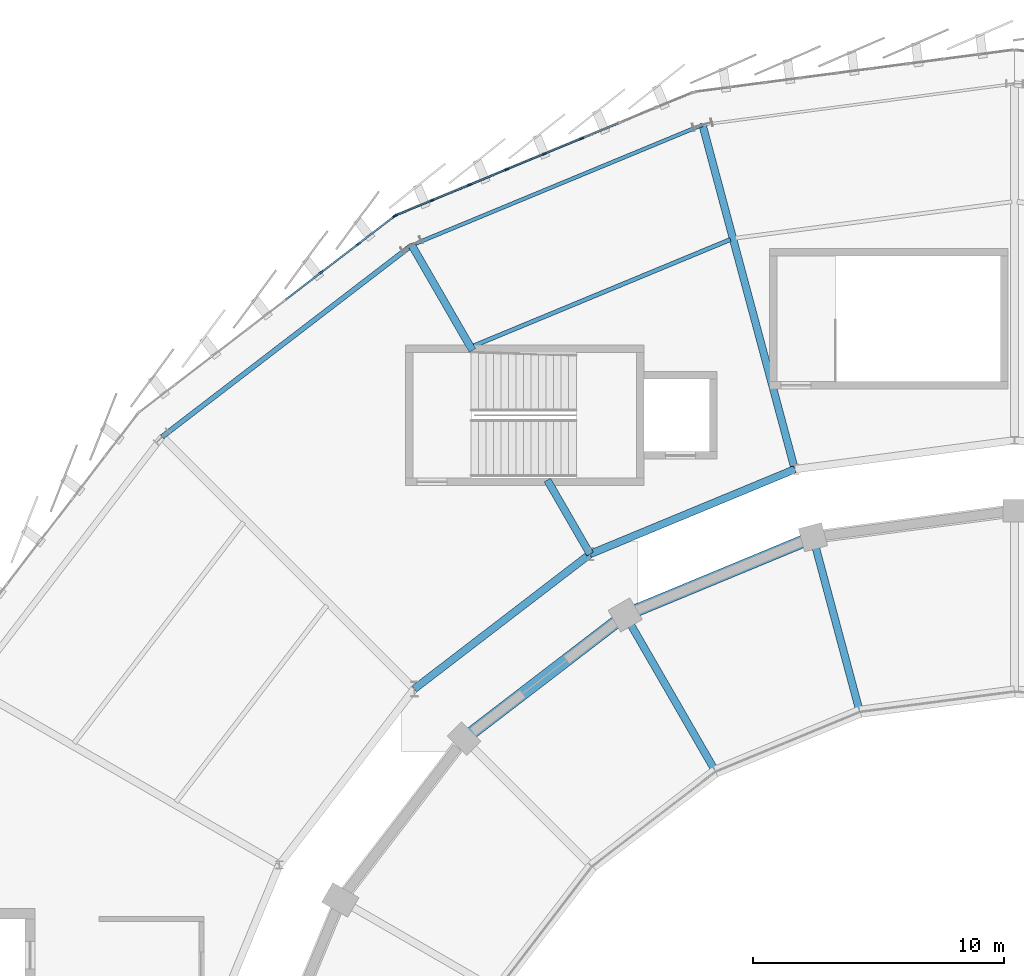
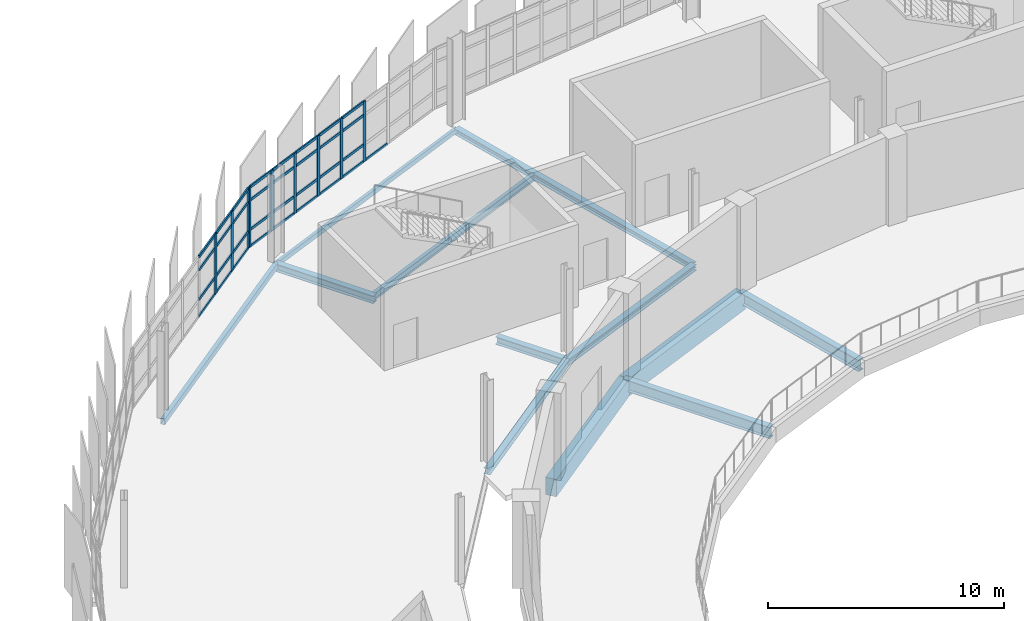
# One storey, part 31 of 87: 42 members, 12 beams, 2 elements without a shape of their own.
"""IFC4 building model written with IfcOpenShell, lengths in metres."""

from ifc_helpers import new_model, si_unit, direction, frame, origin, origin_2d, place, context, subcontext, project, spatial, rectangle, hollow_rectangle, i_section, extrude, material, layer, layer_set, material_profile, profile_set, type_object, element, aggregate, save


model = new_model("IFC4")

# Units and contexts
model_context = context("Model", 3, precision=1e-05, world=origin(), true_north=direction((0.0, 1.0)))
body_context = subcontext(model_context, "Body", "Model", "MODEL_VIEW")
ifc_project = project(units=[si_unit("LENGTHUNIT", "METRE"), si_unit("AREAUNIT", "SQUARE_METRE"), si_unit("VOLUMEUNIT", "CUBIC_METRE"), si_unit("PLANEANGLEUNIT", "RADIAN"), si_unit("MASSUNIT", "GRAM", prefix="KILO")], contexts=[model_context])

# Site, building, storey
site_placement = place(None, origin())
site = spatial("IfcSite", under=ifc_project, at=site_placement, CompositionType="ELEMENT")
building_placement = place(site_placement, origin())
building = spatial("IfcBuilding", under=site, at=building_placement, Name="Sohan Crest Arena", CompositionType="ELEMENT")
storey_placement = place(building_placement, frame((0.0, 0.0, 18.0)))
storey = spatial("IfcBuildingStorey", under=building, at=storey_placement, Name="L04", CompositionType="ELEMENT", Elevation=18.0)

# Curtain wall, members
ifc_material_1 = material(Name="Thermally broken anodised aluminium", Category="aluminium")
ifc_layer_1 = layer(ifc_material_1, 0.199951171875, Name="Thermally broken anodised aluminium")
ifc_layer_set_1 = layer_set([ifc_layer_1], Name="Thermally broken anodised aluminium")
curtain_wall_type_1 = type_object("IfcCurtainWallType", Name="ARC-CW02", PredefinedType="NOTDEFINED", material=ifc_layer_set_1)
curtain_wall_1_placement = place(storey_placement, origin())
curtain_wall_1 = element("IfcCurtainWall", 1, at=curtain_wall_1_placement, inside=storey, type_object=curtain_wall_type_1, Name="Unitised curtain wall CW-113", PredefinedType="NOTDEFINED")
ifc_material_profile_1 = material_profile(ifc_material_1, rectangle(XDim=0.06494140625, YDim=0.179931640625, at=origin_2d()), Name="ALU-MULL 65x180")
ifc_profile_set_1 = profile_set([ifc_material_profile_1], Name="Thermally broken anodised aluminium")
member_type_1 = type_object("IfcMemberType", Name="ARC-CW-ML02", PredefinedType="MULLION", material=ifc_profile_set_1)
member_1_placement = place(storey_placement, frame((80.763671875, 123.8193359375, 0.0), z_axis=(0.0, 0.0, 1.0), x_axis=(0.382685432009, -0.923878704229, 0.0)))
member_1 = element("IfcMember", 2, at=member_1_placement, type_object=member_type_1, Name="CW-113 mullion 4", PredefinedType="MULLION", context=body_context, shape_type="SweptSolid", body=[
    extrude(rectangle(XDim=0.06494140625, YDim=0.179931640625, at=origin_2d()), origin(), (0.0, 0.0, 1.0), 3.1201171875),
])
member_2_placement = place(storey_placement, frame((79.27587890625, 123.202880859375, 0.0), z_axis=(0.0, 0.0, 1.0), x_axis=(0.382685432009, -0.923878704229, 0.0)))
member_2 = element("IfcMember", 3, at=member_2_placement, type_object=member_type_1, Name="CW-113 mullion 5", PredefinedType="MULLION", context=body_context, shape_type="SweptSolid", body=[
    extrude(rectangle(XDim=0.06494140625, YDim=0.179931640625, at=origin_2d()), origin(), (0.0, 0.0, 1.0), 3.1201171875),
])
member_3_placement = place(storey_placement, frame((77.788330078125, 122.586669921875, 0.0), z_axis=(0.0, 0.0, 1.0), x_axis=(0.382685432009, -0.923878704229, 0.0)))
member_3 = element("IfcMember", 4, at=member_3_placement, type_object=member_type_1, Name="CW-113 mullion 6", PredefinedType="MULLION", context=body_context, shape_type="SweptSolid", body=[
    extrude(rectangle(XDim=0.06494140625, YDim=0.179931640625, at=origin_2d()), origin(), (0.0, 0.0, 1.0), 3.1201171875),
])
member_4_placement = place(storey_placement, frame((76.300537109375, 121.970458984375, 0.0), z_axis=(0.0, 0.0, 1.0), x_axis=(0.382685432009, -0.923878704229, 0.0)))
member_4 = element("IfcMember", 5, at=member_4_placement, type_object=member_type_1, Name="CW-113 mullion 7", PredefinedType="MULLION", context=body_context, shape_type="SweptSolid", body=[
    extrude(rectangle(XDim=0.06494140625, YDim=0.179931640625, at=origin_2d()), origin(), (0.0, 0.0, 1.0), 3.1201171875),
])
member_5_placement = place(storey_placement, frame((74.812744140625, 121.354248046875, 0.0), z_axis=(0.0, 0.0, 1.0), x_axis=(0.382685432009, -0.923878704229, 0.0)))
member_5 = element("IfcMember", 6, at=member_5_placement, type_object=member_type_1, Name="CW-113 mullion 8", PredefinedType="MULLION", context=body_context, shape_type="SweptSolid", body=[
    extrude(rectangle(XDim=0.06494140625, YDim=0.179931640625, at=origin_2d()), origin(), (0.0, 0.0, 1.0), 3.1201171875),
])
member_6_placement = place(storey_placement, frame((73.35498046875, 120.75048828125, 0.0), z_axis=(0.0, 0.0, 1.0), x_axis=(0.382685432009, -0.923878704229, 0.0)))
member_6 = element("IfcMember", 7, at=member_6_placement, type_object=member_type_1, Name="CW-113 mullion 9", PredefinedType="MULLION", context=body_context, shape_type="SweptSolid", body=[
    extrude(rectangle(XDim=0.06494140625, YDim=0.179931640625, at=origin_2d()), origin(), (0.0, 0.0, 1.0), 3.1201171875),
])

ifc_layer_2 = layer(ifc_material_1, 0.219970703125, Name="Thermally broken anodised aluminium")
ifc_layer_set_2 = layer_set([ifc_layer_2], Name="Thermally broken anodised aluminium")
curtain_wall_type_2 = type_object("IfcCurtainWallType", Name="ARC-CW03", PredefinedType="NOTDEFINED", material=ifc_layer_set_2)
curtain_wall_2_placement = place(storey_placement, origin())
curtain_wall_2 = element("IfcCurtainWall", 8, at=curtain_wall_2_placement, inside=storey, type_object=curtain_wall_type_2, Name="Unitised curtain wall CW-114", PredefinedType="NOTDEFINED")
ifc_material_profile_2 = material_profile(ifc_material_1, rectangle(XDim=0.070068359375, YDim=0.199951171875, at=origin_2d()), Name="ALU-MULL 70x200")
ifc_profile_set_2 = profile_set([ifc_material_profile_2], Name="Thermally broken anodised aluminium")
member_type_2 = type_object("IfcMemberType", Name="ARC-CW-ML03", PredefinedType="MULLION", material=ifc_profile_set_2)
member_7_placement = place(storey_placement, frame((73.297119140625, 120.716796875, 0.0), z_axis=(0.0, 0.0, 1.0), x_axis=(0.60871994181, -0.793385172815, 0.0)))
member_7 = element("IfcMember", 9, at=member_7_placement, type_object=member_type_2, Name="CW-114 mullion 1", PredefinedType="MULLION", context=body_context, shape_type="SweptSolid", body=[
    extrude(rectangle(XDim=0.070068359375, YDim=0.199951171875, at=origin_2d()), origin(), (0.0, 0.0, 1.0), 3.1201171875),
])
member_8_placement = place(storey_placement, frame((71.86474609375, 119.61767578125, 0.0), z_axis=(0.0, 0.0, 1.0), x_axis=(0.60871994181, -0.793385172815, 0.0)))
member_8 = element("IfcMember", 10, at=member_8_placement, type_object=member_type_2, Name="CW-114 mullion 2", PredefinedType="MULLION", context=body_context, shape_type="SweptSolid", body=[
    extrude(rectangle(XDim=0.070068359375, YDim=0.199951171875, at=origin_2d()), origin(), (0.0, 0.0, 1.0), 3.1201171875),
])
member_9_placement = place(storey_placement, frame((70.40478515625, 118.497314453125, 0.0), z_axis=(0.0, 0.0, 1.0), x_axis=(0.60871994181, -0.793385172815, 0.0)))
member_9 = element("IfcMember", 11, at=member_9_placement, type_object=member_type_2, Name="CW-114 mullion 3", PredefinedType="MULLION", context=body_context, shape_type="SweptSolid", body=[
    extrude(rectangle(XDim=0.070068359375, YDim=0.199951171875, at=origin_2d()), origin(), (0.0, 0.0, 1.0), 3.1201171875),
])

# Member
ifc_material_profile_3 = material_profile(ifc_material_1, rectangle(XDim=0.06494140625, YDim=0.139892578125, at=origin_2d()), Name="ALU-TRAN 65x140")
ifc_profile_set_3 = profile_set([ifc_material_profile_3], Name="Thermally broken anodised aluminium")
member_type_3 = type_object("IfcMemberType", Name="ARC-CW-TR02", PredefinedType="USERDEFINED", material=ifc_profile_set_3)
member_10_placement = place(storey_placement, frame((82.221435546875, 124.423095703125, 0.032470703125), z_axis=(-0.923897456466, -0.382640157244, 0.0), x_axis=(0.382640157244, -0.923897456466, 0.0)))
member_10 = element("IfcMember", 12, at=member_10_placement, type_object=member_type_3, Name="CW-113 transom 3.1", ObjectType="TRANSOM", PredefinedType="USERDEFINED", context=body_context, shape_type="SweptSolid", body=[
    extrude(rectangle(XDim=0.06494140625, YDim=0.139892578125, at=origin_2d()), origin(), (0.0, 0.0, 1.0), 1.54541015625),
])

member_11_placement = place(storey_placement, frame((80.733642578125, 123.806884765625, 0.032470703125), z_axis=(-0.923841599032, -0.382774999052, 0.0), x_axis=(0.382774999052, -0.923841599032, 0.0)))
member_11 = element("IfcMember", 13, at=member_11_placement, type_object=member_type_3, Name="CW-113 transom 4.1", ObjectType="TRANSOM", PredefinedType="USERDEFINED", context=body_context, shape_type="SweptSolid", body=[
    extrude(rectangle(XDim=0.06494140625, YDim=0.139892578125, at=origin_2d()), origin(), (0.0, 0.0, 1.0), 1.54541015625),
])

member_12_placement = place(storey_placement, frame((80.733642578125, 123.806884765625, 0.89990234375), z_axis=(-0.923841599032, -0.382774999052, 0.0), x_axis=(0.382774999052, -0.923841599032, 0.0)))
member_12 = element("IfcMember", 14, at=member_12_placement, type_object=member_type_3, Name="CW-113 transom 4.2", ObjectType="TRANSOM", PredefinedType="USERDEFINED", context=body_context, shape_type="SweptSolid", body=[
    extrude(rectangle(XDim=0.06494140625, YDim=0.139892578125, at=origin_2d()), origin(), (0.0, 0.0, 1.0), 1.54541015625),
])

member_13_placement = place(storey_placement, frame((80.733642578125, 123.806884765625, 2.419921875), z_axis=(-0.923841599032, -0.382774999052, 0.0), x_axis=(0.382774999052, -0.923841599032, 0.0)))
member_13 = element("IfcMember", 15, at=member_13_placement, type_object=member_type_3, Name="CW-113 transom 4.3", ObjectType="TRANSOM", PredefinedType="USERDEFINED", context=body_context, shape_type="SweptSolid", body=[
    extrude(rectangle(XDim=0.06494140625, YDim=0.139892578125, at=origin_2d()), origin(), (0.0, 0.0, 1.0), 1.54541015625),
])

member_14_placement = place(storey_placement, frame((80.733642578125, 123.806884765625, 3.08740234375), z_axis=(-0.923841599032, -0.382774999052, 0.0), x_axis=(0.382774999052, -0.923841599032, 0.0)))
member_14 = element("IfcMember", 16, at=member_14_placement, type_object=member_type_3, Name="CW-113 transom 4.4", ObjectType="TRANSOM", PredefinedType="USERDEFINED", context=body_context, shape_type="SweptSolid", body=[
    extrude(rectangle(XDim=0.06494140625, YDim=0.139892578125, at=origin_2d()), origin(), (0.0, 0.0, 1.0), 1.54541015625),
])

member_15_placement = place(storey_placement, frame((79.24609375, 123.190673828125, 0.032470703125), z_axis=(-0.923841599032, -0.382774999052, 0.0), x_axis=(0.382774999052, -0.923841599032, 0.0)))
member_15 = element("IfcMember", 17, at=member_15_placement, type_object=member_type_3, Name="CW-113 transom 5.1", ObjectType="TRANSOM", PredefinedType="USERDEFINED", context=body_context, shape_type="SweptSolid", body=[
    extrude(rectangle(XDim=0.06494140625, YDim=0.139892578125, at=origin_2d()), origin(), (0.0, 0.0, 1.0), 1.54541015625),
])

member_16_placement = place(storey_placement, frame((79.24609375, 123.190673828125, 0.89990234375), z_axis=(-0.923841599032, -0.382774999052, 0.0), x_axis=(0.382774999052, -0.923841599032, 0.0)))
member_16 = element("IfcMember", 18, at=member_16_placement, type_object=member_type_3, Name="CW-113 transom 5.2", ObjectType="TRANSOM", PredefinedType="USERDEFINED", context=body_context, shape_type="SweptSolid", body=[
    extrude(rectangle(XDim=0.06494140625, YDim=0.139892578125, at=origin_2d()), origin(), (0.0, 0.0, 1.0), 1.54541015625),
])

member_17_placement = place(storey_placement, frame((79.24609375, 123.190673828125, 2.419921875), z_axis=(-0.923841599032, -0.382774999052, 0.0), x_axis=(0.382774999052, -0.923841599032, 0.0)))
member_17 = element("IfcMember", 19, at=member_17_placement, type_object=member_type_3, Name="CW-113 transom 5.3", ObjectType="TRANSOM", PredefinedType="USERDEFINED", context=body_context, shape_type="SweptSolid", body=[
    extrude(rectangle(XDim=0.06494140625, YDim=0.139892578125, at=origin_2d()), origin(), (0.0, 0.0, 1.0), 1.54541015625),
])

member_18_placement = place(storey_placement, frame((79.24609375, 123.190673828125, 3.08740234375), z_axis=(-0.923841599032, -0.382774999052, 0.0), x_axis=(0.382774999052, -0.923841599032, 0.0)))
member_18 = element("IfcMember", 20, at=member_18_placement, type_object=member_type_3, Name="CW-113 transom 5.4", ObjectType="TRANSOM", PredefinedType="USERDEFINED", context=body_context, shape_type="SweptSolid", body=[
    extrude(rectangle(XDim=0.06494140625, YDim=0.139892578125, at=origin_2d()), origin(), (0.0, 0.0, 1.0), 1.54541015625),
])

member_19_placement = place(storey_placement, frame((77.75830078125, 122.57421875, 0.032470703125), z_axis=(-0.923897456466, -0.382640157244, 0.0), x_axis=(0.382640157244, -0.923897456466, 0.0)))
member_19 = element("IfcMember", 21, at=member_19_placement, type_object=member_type_3, Name="CW-113 transom 6.1", ObjectType="TRANSOM", PredefinedType="USERDEFINED", context=body_context, shape_type="SweptSolid", body=[
    extrude(rectangle(XDim=0.06494140625, YDim=0.139892578125, at=origin_2d()), origin(), (0.0, 0.0, 1.0), 1.54541015625),
])

member_20_placement = place(storey_placement, frame((77.75830078125, 122.57421875, 0.89990234375), z_axis=(-0.923897456466, -0.382640157244, 0.0), x_axis=(0.382640157244, -0.923897456466, 0.0)))
member_20 = element("IfcMember", 22, at=member_20_placement, type_object=member_type_3, Name="CW-113 transom 6.2", ObjectType="TRANSOM", PredefinedType="USERDEFINED", context=body_context, shape_type="SweptSolid", body=[
    extrude(rectangle(XDim=0.06494140625, YDim=0.139892578125, at=origin_2d()), origin(), (0.0, 0.0, 1.0), 1.54541015625),
])

member_21_placement = place(storey_placement, frame((77.75830078125, 122.57421875, 2.419921875), z_axis=(-0.923897456466, -0.382640157244, 0.0), x_axis=(0.382640157244, -0.923897456466, 0.0)))
member_21 = element("IfcMember", 23, at=member_21_placement, type_object=member_type_3, Name="CW-113 transom 6.3", ObjectType="TRANSOM", PredefinedType="USERDEFINED", context=body_context, shape_type="SweptSolid", body=[
    extrude(rectangle(XDim=0.06494140625, YDim=0.139892578125, at=origin_2d()), origin(), (0.0, 0.0, 1.0), 1.54541015625),
])

member_22_placement = place(storey_placement, frame((77.75830078125, 122.57421875, 3.08740234375), z_axis=(-0.923897456466, -0.382640157244, 0.0), x_axis=(0.382640157244, -0.923897456466, 0.0)))
member_22 = element("IfcMember", 24, at=member_22_placement, type_object=member_type_3, Name="CW-113 transom 6.4", ObjectType="TRANSOM", PredefinedType="USERDEFINED", context=body_context, shape_type="SweptSolid", body=[
    extrude(rectangle(XDim=0.06494140625, YDim=0.139892578125, at=origin_2d()), origin(), (0.0, 0.0, 1.0), 1.54541015625),
])

member_23_placement = place(storey_placement, frame((76.2705078125, 121.9580078125, 0.032470703125), z_axis=(-0.923897456466, -0.382640157244, 0.0), x_axis=(0.382640157244, -0.923897456466, 0.0)))
member_23 = element("IfcMember", 25, at=member_23_placement, type_object=member_type_3, Name="CW-113 transom 7.1", ObjectType="TRANSOM", PredefinedType="USERDEFINED", context=body_context, shape_type="SweptSolid", body=[
    extrude(rectangle(XDim=0.06494140625, YDim=0.139892578125, at=origin_2d()), origin(), (0.0, 0.0, 1.0), 1.54541015625),
])

member_24_placement = place(storey_placement, frame((76.2705078125, 121.9580078125, 0.89990234375), z_axis=(-0.923897456466, -0.382640157244, 0.0), x_axis=(0.382640157244, -0.923897456466, 0.0)))
member_24 = element("IfcMember", 26, at=member_24_placement, type_object=member_type_3, Name="CW-113 transom 7.2", ObjectType="TRANSOM", PredefinedType="USERDEFINED", context=body_context, shape_type="SweptSolid", body=[
    extrude(rectangle(XDim=0.06494140625, YDim=0.139892578125, at=origin_2d()), origin(), (0.0, 0.0, 1.0), 1.54541015625),
])

member_25_placement = place(storey_placement, frame((76.2705078125, 121.9580078125, 2.419921875), z_axis=(-0.923897456466, -0.382640157244, 0.0), x_axis=(0.382640157244, -0.923897456466, 0.0)))
member_25 = element("IfcMember", 27, at=member_25_placement, type_object=member_type_3, Name="CW-113 transom 7.3", ObjectType="TRANSOM", PredefinedType="USERDEFINED", context=body_context, shape_type="SweptSolid", body=[
    extrude(rectangle(XDim=0.06494140625, YDim=0.139892578125, at=origin_2d()), origin(), (0.0, 0.0, 1.0), 1.54541015625),
])

member_26_placement = place(storey_placement, frame((76.2705078125, 121.9580078125, 3.08740234375), z_axis=(-0.923897456466, -0.382640157244, 0.0), x_axis=(0.382640157244, -0.923897456466, 0.0)))
member_26 = element("IfcMember", 28, at=member_26_placement, type_object=member_type_3, Name="CW-113 transom 7.4", ObjectType="TRANSOM", PredefinedType="USERDEFINED", context=body_context, shape_type="SweptSolid", body=[
    extrude(rectangle(XDim=0.06494140625, YDim=0.139892578125, at=origin_2d()), origin(), (0.0, 0.0, 1.0), 1.54541015625),
])

member_27_placement = place(storey_placement, frame((74.78271484375, 121.341796875, 0.032470703125), z_axis=(-0.923900792868, -0.382632101291, 0.0), x_axis=(0.382632101291, -0.923900792868, 0.0)))
member_27 = element("IfcMember", 29, at=member_27_placement, type_object=member_type_3, Name="CW-113 transom 8.1", ObjectType="TRANSOM", PredefinedType="USERDEFINED", context=body_context, shape_type="SweptSolid", body=[
    extrude(rectangle(XDim=0.06494140625, YDim=0.139892578125, at=origin_2d()), origin(), (0.0, 0.0, 1.0), 1.512939453125),
])

member_28_placement = place(storey_placement, frame((74.78271484375, 121.341796875, 0.89990234375), z_axis=(-0.923900792868, -0.382632101291, 0.0), x_axis=(0.382632101291, -0.923900792868, 0.0)))
member_28 = element("IfcMember", 30, at=member_28_placement, type_object=member_type_3, Name="CW-113 transom 8.2", ObjectType="TRANSOM", PredefinedType="USERDEFINED", context=body_context, shape_type="SweptSolid", body=[
    extrude(rectangle(XDim=0.06494140625, YDim=0.139892578125, at=origin_2d()), origin(), (0.0, 0.0, 1.0), 1.512939453125),
])

member_29_placement = place(storey_placement, frame((74.78271484375, 121.341796875, 2.419921875), z_axis=(-0.923900792868, -0.382632101291, 0.0), x_axis=(0.382632101291, -0.923900792868, 0.0)))
member_29 = element("IfcMember", 31, at=member_29_placement, type_object=member_type_3, Name="CW-113 transom 8.3", ObjectType="TRANSOM", PredefinedType="USERDEFINED", context=body_context, shape_type="SweptSolid", body=[
    extrude(rectangle(XDim=0.06494140625, YDim=0.139892578125, at=origin_2d()), origin(), (0.0, 0.0, 1.0), 1.512939453125),
])

member_30_placement = place(storey_placement, frame((74.78271484375, 121.341796875, 3.08740234375), z_axis=(-0.923900792868, -0.382632101291, 0.0), x_axis=(0.382632101291, -0.923900792868, 0.0)))
member_30 = element("IfcMember", 32, at=member_30_placement, type_object=member_type_3, Name="CW-113 transom 8.4", ObjectType="TRANSOM", PredefinedType="USERDEFINED", context=body_context, shape_type="SweptSolid", body=[
    extrude(rectangle(XDim=0.06494140625, YDim=0.139892578125, at=origin_2d()), origin(), (0.0, 0.0, 1.0), 1.512939453125),
])

aggregate(curtain_wall_1, [member_1, member_2, member_3, member_4, member_5, member_6, member_10, member_11, member_12, member_13, member_14, member_15, member_16, member_17, member_18, member_19, member_20, member_21, member_22, member_23, member_24, member_25, member_26, member_27, member_28, member_29, member_30])

ifc_material_profile_4 = material_profile(ifc_material_1, rectangle(XDim=0.070068359375, YDim=0.14990234375, at=origin_2d()), Name="ALU-TRAN 70x150")
ifc_profile_set_4 = profile_set([ifc_material_profile_4], Name="Thermally broken anodised aluminium")
member_type_4 = type_object("IfcMemberType", Name="ARC-CW-TR03", PredefinedType="USERDEFINED", material=ifc_profile_set_4)
member_31_placement = place(storey_placement, frame((73.26953125, 120.6953125, 0.034912109375), z_axis=(-0.793402540985, -0.60869730405, 0.0), x_axis=(0.60869730405, -0.793402540985, 0.0)))
member_31 = element("IfcMember", 33, at=member_31_placement, type_object=member_type_4, Name="CW-114 transom 1.1", ObjectType="TRANSOM", PredefinedType="USERDEFINED", context=body_context, shape_type="SweptSolid", body=[
    extrude(rectangle(XDim=0.070068359375, YDim=0.14990234375, at=origin_2d()), origin(), (0.0, 0.0, 1.0), 1.735595703125),
])

member_32_placement = place(storey_placement, frame((73.26953125, 120.6953125, 0.89990234375), z_axis=(-0.793402540985, -0.60869730405, 0.0), x_axis=(0.60869730405, -0.793402540985, 0.0)))
member_32 = element("IfcMember", 34, at=member_32_placement, type_object=member_type_4, Name="CW-114 transom 1.2", ObjectType="TRANSOM", PredefinedType="USERDEFINED", context=body_context, shape_type="SweptSolid", body=[
    extrude(rectangle(XDim=0.070068359375, YDim=0.14990234375, at=origin_2d()), origin(), (0.0, 0.0, 1.0), 1.735595703125),
])

member_33_placement = place(storey_placement, frame((73.26953125, 120.6953125, 2.419921875), z_axis=(-0.793402540985, -0.60869730405, 0.0), x_axis=(0.60869730405, -0.793402540985, 0.0)))
member_33 = element("IfcMember", 35, at=member_33_placement, type_object=member_type_4, Name="CW-114 transom 1.3", ObjectType="TRANSOM", PredefinedType="USERDEFINED", context=body_context, shape_type="SweptSolid", body=[
    extrude(rectangle(XDim=0.070068359375, YDim=0.14990234375, at=origin_2d()), origin(), (0.0, 0.0, 1.0), 1.735595703125),
])

member_34_placement = place(storey_placement, frame((73.26953125, 120.6953125, 3.0849609375), z_axis=(-0.793402540985, -0.60869730405, 0.0), x_axis=(0.60869730405, -0.793402540985, 0.0)))
member_34 = element("IfcMember", 36, at=member_34_placement, type_object=member_type_4, Name="CW-114 transom 1.4", ObjectType="TRANSOM", PredefinedType="USERDEFINED", context=body_context, shape_type="SweptSolid", body=[
    extrude(rectangle(XDim=0.070068359375, YDim=0.14990234375, at=origin_2d()), origin(), (0.0, 0.0, 1.0), 1.735595703125),
])

member_35_placement = place(storey_placement, frame((71.837158203125, 119.596435546875, 0.034912109375), z_axis=(-0.793433215752, -0.608657319139, 0.0), x_axis=(0.608657319139, -0.793433215752, 0.0)))
member_35 = element("IfcMember", 37, at=member_35_placement, type_object=member_type_4, Name="CW-114 transom 2.1", ObjectType="TRANSOM", PredefinedType="USERDEFINED", context=body_context, shape_type="SweptSolid", body=[
    extrude(rectangle(XDim=0.070068359375, YDim=0.14990234375, at=origin_2d()), origin(), (0.0, 0.0, 1.0), 1.7705078125),
])

member_36_placement = place(storey_placement, frame((71.837158203125, 119.596435546875, 0.89990234375), z_axis=(-0.793433215752, -0.608657319139, 0.0), x_axis=(0.608657319139, -0.793433215752, 0.0)))
member_36 = element("IfcMember", 38, at=member_36_placement, type_object=member_type_4, Name="CW-114 transom 2.2", ObjectType="TRANSOM", PredefinedType="USERDEFINED", context=body_context, shape_type="SweptSolid", body=[
    extrude(rectangle(XDim=0.070068359375, YDim=0.14990234375, at=origin_2d()), origin(), (0.0, 0.0, 1.0), 1.7705078125),
])

member_37_placement = place(storey_placement, frame((71.837158203125, 119.596435546875, 2.419921875), z_axis=(-0.793433215752, -0.608657319139, 0.0), x_axis=(0.608657319139, -0.793433215752, 0.0)))
member_37 = element("IfcMember", 39, at=member_37_placement, type_object=member_type_4, Name="CW-114 transom 2.3", ObjectType="TRANSOM", PredefinedType="USERDEFINED", context=body_context, shape_type="SweptSolid", body=[
    extrude(rectangle(XDim=0.070068359375, YDim=0.14990234375, at=origin_2d()), origin(), (0.0, 0.0, 1.0), 1.7705078125),
])

member_38_placement = place(storey_placement, frame((71.837158203125, 119.596435546875, 3.0849609375), z_axis=(-0.793433215752, -0.608657319139, 0.0), x_axis=(0.608657319139, -0.793433215752, 0.0)))
member_38 = element("IfcMember", 40, at=member_38_placement, type_object=member_type_4, Name="CW-114 transom 2.4", ObjectType="TRANSOM", PredefinedType="USERDEFINED", context=body_context, shape_type="SweptSolid", body=[
    extrude(rectangle(XDim=0.070068359375, YDim=0.14990234375, at=origin_2d()), origin(), (0.0, 0.0, 1.0), 1.7705078125),
])

member_39_placement = place(storey_placement, frame((70.376953125, 118.47607421875, 0.034912109375), z_axis=(-0.793382123212, -0.60872391654, 0.0), x_axis=(0.60872391654, -0.793382123212, 0.0)))
member_39 = element("IfcMember", 41, at=member_39_placement, type_object=member_type_4, Name="CW-114 transom 3.1", ObjectType="TRANSOM", PredefinedType="USERDEFINED", context=body_context, shape_type="SweptSolid", body=[
    extrude(rectangle(XDim=0.070068359375, YDim=0.14990234375, at=origin_2d()), origin(), (0.0, 0.0, 1.0), 1.770263671875),
])

member_40_placement = place(storey_placement, frame((70.376953125, 118.47607421875, 0.89990234375), z_axis=(-0.793382123212, -0.60872391654, 0.0), x_axis=(0.60872391654, -0.793382123212, 0.0)))
member_40 = element("IfcMember", 42, at=member_40_placement, type_object=member_type_4, Name="CW-114 transom 3.2", ObjectType="TRANSOM", PredefinedType="USERDEFINED", context=body_context, shape_type="SweptSolid", body=[
    extrude(rectangle(XDim=0.070068359375, YDim=0.14990234375, at=origin_2d()), origin(), (0.0, 0.0, 1.0), 1.770263671875),
])

member_41_placement = place(storey_placement, frame((70.376953125, 118.47607421875, 2.419921875), z_axis=(-0.793382123212, -0.60872391654, 0.0), x_axis=(0.60872391654, -0.793382123212, 0.0)))
member_41 = element("IfcMember", 43, at=member_41_placement, type_object=member_type_4, Name="CW-114 transom 3.3", ObjectType="TRANSOM", PredefinedType="USERDEFINED", context=body_context, shape_type="SweptSolid", body=[
    extrude(rectangle(XDim=0.070068359375, YDim=0.14990234375, at=origin_2d()), origin(), (0.0, 0.0, 1.0), 1.770263671875),
])

member_42_placement = place(storey_placement, frame((70.376953125, 118.47607421875, 3.0849609375), z_axis=(-0.793382123212, -0.60872391654, 0.0), x_axis=(0.60872391654, -0.793382123212, 0.0)))
member_42 = element("IfcMember", 44, at=member_42_placement, type_object=member_type_4, Name="CW-114 transom 3.4", ObjectType="TRANSOM", PredefinedType="USERDEFINED", context=body_context, shape_type="SweptSolid", body=[
    extrude(rectangle(XDim=0.070068359375, YDim=0.14990234375, at=origin_2d()), origin(), (0.0, 0.0, 1.0), 1.770263671875),
])

aggregate(curtain_wall_2, [member_7, member_8, member_9, member_31, member_32, member_33, member_34, member_35, member_36, member_37, member_38, member_39, member_40, member_41, member_42])

# Beams
ifc_material_2 = material(Name="Steel S355", Category="steel")
ifc_material_profile_5 = material_profile(ifc_material_2, i_section(OverallWidth=0.169921875, OverallDepth=0.360107421875, WebThickness=0.008056640625, FlangeThickness=0.0126953125, at=origin_2d()), Name="IPE 360")
ifc_profile_set_5 = profile_set([ifc_material_profile_5], Name="Steel S355")
beam_type_1 = type_object("IfcBeamType", Name="STR-BM-B02", PredefinedType="JOIST", material=ifc_profile_set_5)
beam_1_placement = place(storey_placement, frame((86.68798828125, 119.7958984375, -0.429931640625), z_axis=(-0.923874316241, -0.382696025312, 0.0), x_axis=(0.382696025312, -0.923874316241, 0.0)))
element("IfcBeam", 45, at=beam_1_placement, inside=storey, type_object=beam_type_1, Name="Structural beam J-L04-1560", PredefinedType="JOIST", context=body_context, shape_type="SweptSolid", body=[
    extrude(i_section(OverallWidth=0.169921875, OverallDepth=0.360107421875, WebThickness=0.008056640625, FlangeThickness=0.0126953125, at=origin_2d()), origin(), (0.0, 0.0, 1.0), 11.0869140625),
])
ifc_material_profile_6 = material_profile(ifc_material_2, i_section(OverallWidth=0.300048828125, OverallDepth=0.590087890625, WebThickness=0.012939453125, FlangeThickness=0.02490234375, at=origin_2d()), Name="HEA 600")
ifc_profile_set_6 = profile_set([ifc_material_profile_6], Name="Steel S355")
beam_type_2 = type_object("IfcBeamType", Name="STR-BM-B11", PredefinedType="BEAM", material=ifc_profile_set_6)
beam_2_placement = place(storey_placement, frame((91.840087890625, 100.989013671875, -0.544921875), z_axis=(-0.258745124417, 0.965945630245, 0.0), x_axis=(-0.965945630245, -0.258745124417, 0.0)))
element("IfcBeam", 46, at=beam_2_placement, inside=storey, type_object=beam_type_2, Name="Structural beam G-L04-0100", PredefinedType="BEAM", context=body_context, shape_type="SweptSolid", body=[
    extrude(i_section(OverallWidth=0.300048828125, OverallDepth=0.590087890625, WebThickness=0.012939453125, FlangeThickness=0.02490234375, at=origin_2d()), origin(), (0.0, 0.0, 1.0), 7.2001953125),
])
beam_3_placement = place(storey_placement, frame((86.10009765625, 98.611083984375, -0.544921875), z_axis=(-0.499982693035, 0.866035395735, 0.0), x_axis=(-0.866035395735, -0.499982693035, 0.0)))
element("IfcBeam", 47, at=beam_3_placement, inside=storey, type_object=beam_type_2, Name="Structural beam G-L04-0122", PredefinedType="BEAM", context=body_context, shape_type="SweptSolid", body=[
    extrude(i_section(OverallWidth=0.300048828125, OverallDepth=0.590087890625, WebThickness=0.012939453125, FlangeThickness=0.02490234375, at=origin_2d()), origin(), (0.0, 0.0, 1.0), 7.200439453125),
])
ifc_material_profile_7 = material_profile(ifc_material_2, i_section(OverallWidth=0.300048828125, OverallDepth=0.300048828125, WebThickness=0.010986328125, FlangeThickness=0.01904296875, at=origin_2d()), Name="HEB 300")
ifc_profile_set_7 = profile_set([ifc_material_profile_7], Name="Steel S355")
beam_type_3 = type_object("IfcBeamType", Name="STR-BM-B12", PredefinedType="BEAM", material=ifc_profile_set_7)
beam_4_placement = place(storey_placement, frame((89.251953125, 110.64794921875, -0.39990234375), z_axis=(-0.258808560729, 0.965928635508, 0.0), x_axis=(-0.965928635508, -0.258808560729, 0.0)))
element("IfcBeam", 48, at=beam_4_placement, inside=storey, type_object=beam_type_3, Name="Structural beam G-L04-1557", PredefinedType="BEAM", context=body_context, shape_type="SweptSolid", body=[
    extrude(i_section(OverallWidth=0.300048828125, OverallDepth=0.300048828125, WebThickness=0.010986328125, FlangeThickness=0.01904296875, at=origin_2d()), origin(), (0.0, 0.0, 1.0), 14.199951171875),
])
beam_5_placement = place(storey_placement, frame((89.251953125, 110.64794921875, -0.39990234375), z_axis=(-0.923904876385, -0.38262224111, 0.0), x_axis=(0.38262224111, -0.923904876385, 0.0)))
element("IfcBeam", 49, at=beam_5_placement, inside=storey, type_object=beam_type_3, Name="Structural beam G-L04-1558", PredefinedType="BEAM", context=body_context, shape_type="SweptSolid", body=[
    extrude(i_section(OverallWidth=0.300048828125, OverallDepth=0.300048828125, WebThickness=0.010986328125, FlangeThickness=0.01904296875, at=origin_2d()), origin(), (0.0, 0.0, 1.0), 8.8232421875),
])
beam_6_placement = place(storey_placement, frame((81.10009765625, 107.27197265625, -0.39990234375), z_axis=(-0.793310569192, -0.608817165336, 0.0), x_axis=(0.608817165336, -0.793310569192, 0.0)))
element("IfcBeam", 50, at=beam_6_placement, inside=storey, type_object=beam_type_3, Name="Structural beam G-L04-1563", PredefinedType="BEAM", context=body_context, shape_type="SweptSolid", body=[
    extrude(i_section(OverallWidth=0.300048828125, OverallDepth=0.300048828125, WebThickness=0.010986328125, FlangeThickness=0.01904296875, at=origin_2d()), origin(), (0.0, 0.0, 1.0), 8.82373046875),
])
ifc_material_profile_8 = material_profile(ifc_material_2, i_section(OverallWidth=0.300048828125, OverallDepth=0.39990234375, WebThickness=0.013427734375, FlangeThickness=0.02392578125, at=origin_2d()), Name="HEB 400")
ifc_profile_set_8 = profile_set([ifc_material_profile_8], Name="Steel S355")
beam_type_4 = type_object("IfcBeamType", Name="STR-BM-B13", PredefinedType="BEAM", material=ifc_profile_set_8)
beam_7_placement = place(storey_placement, frame((81.10009765625, 107.27197265625, -0.449951171875), z_axis=(-0.500026652407, 0.866010015463, 0.0), x_axis=(-0.866010015463, -0.500026652407, 0.0)))
element("IfcBeam", 51, at=beam_7_placement, inside=storey, type_object=beam_type_4, Name="Structural beam G-L04-1561", PredefinedType="BEAM", context=body_context, shape_type="SweptSolid", body=[
    extrude(i_section(OverallWidth=0.300048828125, OverallDepth=0.39990234375, WebThickness=0.013427734375, FlangeThickness=0.02392578125, at=origin_2d()), origin(), (0.0, 0.0, 1.0), 3.404052734375),
])
beam_8_placement = place(storey_placement, frame((76.4189453125, 115.3798828125, -0.449951171875), z_axis=(-0.500047190239, 0.865998156773, 0.0), x_axis=(-0.865998156773, -0.500047190239, 0.0)))
element("IfcBeam", 52, at=beam_8_placement, inside=storey, type_object=beam_type_4, Name="Structural beam G-L04-1562", PredefinedType="BEAM", context=body_context, shape_type="SweptSolid", body=[
    extrude(i_section(OverallWidth=0.300048828125, OverallDepth=0.39990234375, WebThickness=0.013427734375, FlangeThickness=0.02392578125, at=origin_2d()), origin(), (0.0, 0.0, 1.0), 4.83740234375),
])
ifc_material_profile_9 = material_profile(ifc_material_2, hollow_rectangle(XDim=0.14990234375, YDim=0.25, WallThickness=0.010009765625, at=origin_2d()), Name="RHS 250x150x10")
ifc_profile_set_9 = profile_set([ifc_material_profile_9], Name="Steel S355")
beam_type_5 = type_object("IfcBeamType", Name="STR-BM-SP02", PredefinedType="SPANDREL", material=ifc_profile_set_9)
beam_9_placement = place(storey_placement, frame((85.576904296875, 124.364013671875, -0.375), z_axis=(-0.923890504882, -0.382656941645, 0.0), x_axis=(0.382656941645, -0.923890504882, 0.0)))
element("IfcBeam", 53, at=beam_9_placement, inside=storey, type_object=beam_type_5, Name="Structural beam SP-L04-1559", PredefinedType="SPANDREL", context=body_context, shape_type="SweptSolid", body=[
    extrude(hollow_rectangle(XDim=0.14990234375, YDim=0.25, WallThickness=0.010009765625, at=origin_2d()), origin(), (0.0, 0.0, 1.0), 12.530517578125),
])
ifc_material_profile_10 = material_profile(ifc_material_2, hollow_rectangle(XDim=0.199951171875, YDim=0.300048828125, WallThickness=0.010009765625, at=origin_2d()), Name="RHS 300x200x10")
ifc_profile_set_10 = profile_set([ifc_material_profile_10], Name="Steel S355")
beam_type_6 = type_object("IfcBeamType", Name="STR-BM-SP03", PredefinedType="SPANDREL", material=ifc_profile_set_10)
beam_10_placement = place(storey_placement, frame((74.0, 119.569091796875, -0.39990234375), z_axis=(-0.793344121205, -0.608773443368, 0.0), x_axis=(0.608773443368, -0.793344121205, 0.0)))
element("IfcBeam", 54, at=beam_10_placement, inside=storey, type_object=beam_type_6, Name="Structural beam SP-L04-1564", PredefinedType="SPANDREL", context=body_context, shape_type="SweptSolid", body=[
    extrude(hollow_rectangle(XDim=0.199951171875, YDim=0.300048828125, WallThickness=0.010009765625, at=origin_2d()), origin(), (0.0, 0.0, 1.0), 12.530517578125),
])
ifc_material_3 = material(Name="Concrete C40/50", Category="concrete")
ifc_material_profile_11 = material_profile(ifc_material_3, rectangle(XDim=0.5, YDim=0.89990234375, at=origin_2d()), Name="RC-BM 500x900")
ifc_profile_set_11 = profile_set([ifc_material_profile_11], Name="Concrete C40/50")
beam_type_7 = type_object("IfcBeamType", Name="STR-BM-TB03", PredefinedType="BEAM", material=ifc_profile_set_11)
beam_11_placement = place(storey_placement, frame((89.97705078125, 107.944091796875, -0.699951171875), z_axis=(-0.923876381497, -0.382691039498, 0.0), x_axis=(0.382691039498, -0.923876381497, 0.0)))
element("IfcBeam", 55, at=beam_11_placement, inside=storey, type_object=beam_type_7, Name="Structural beam TB-L04-0099", PredefinedType="BEAM", context=body_context, shape_type="SweptSolid", body=[
    extrude(rectangle(XDim=0.5, YDim=0.89990234375, at=origin_2d()), origin(), (0.0, 0.0, 1.0), 8.093017578125),
])
beam_12_placement = place(storey_placement, frame((82.5, 104.846923828125, -0.699951171875), z_axis=(-0.793304243257, -0.608825408167, 0.0), x_axis=(0.608825408167, -0.793304243257, 0.0)))
element("IfcBeam", 56, at=beam_12_placement, inside=storey, type_object=beam_type_7, Name="Structural beam TB-L04-0121", PredefinedType="BEAM", context=body_context, shape_type="SweptSolid", body=[
    extrude(rectangle(XDim=0.5, YDim=0.89990234375, at=origin_2d()), origin(), (0.0, 0.0, 1.0), 8.092529296875),
])

save(model, "model.ifc")
